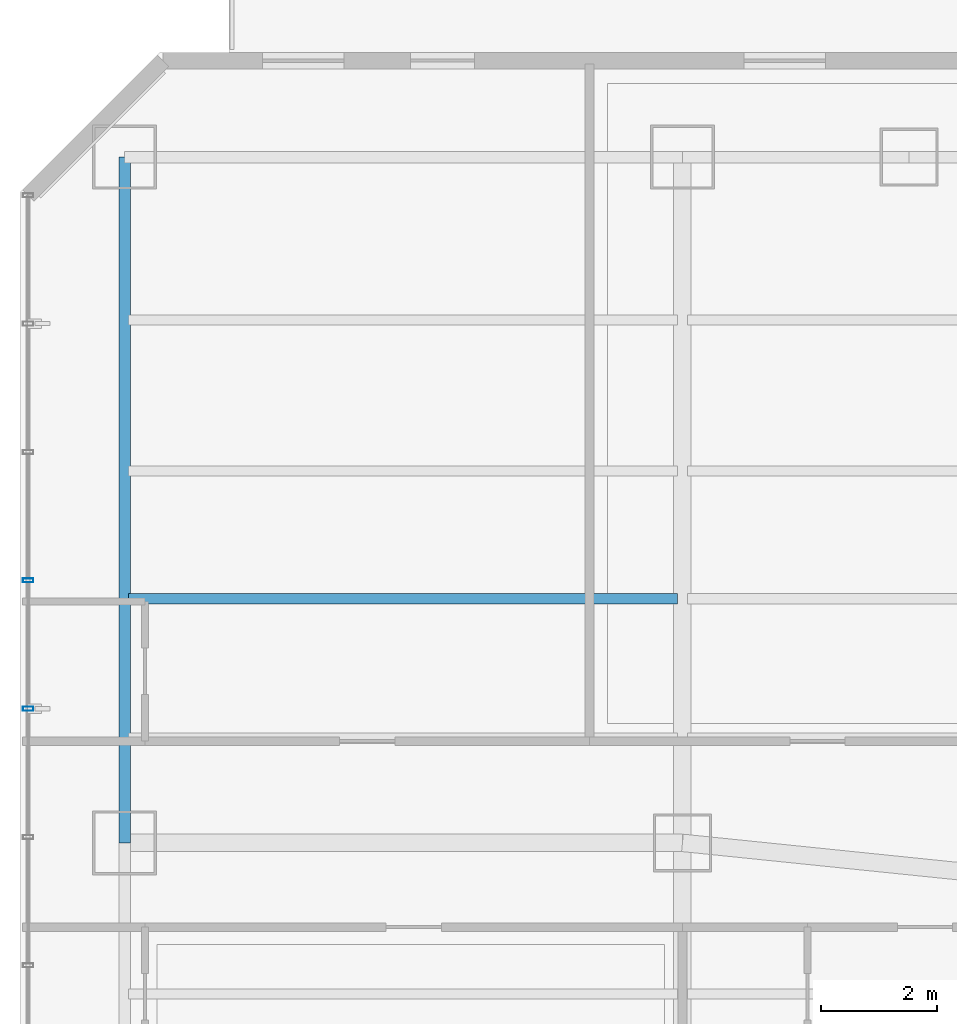
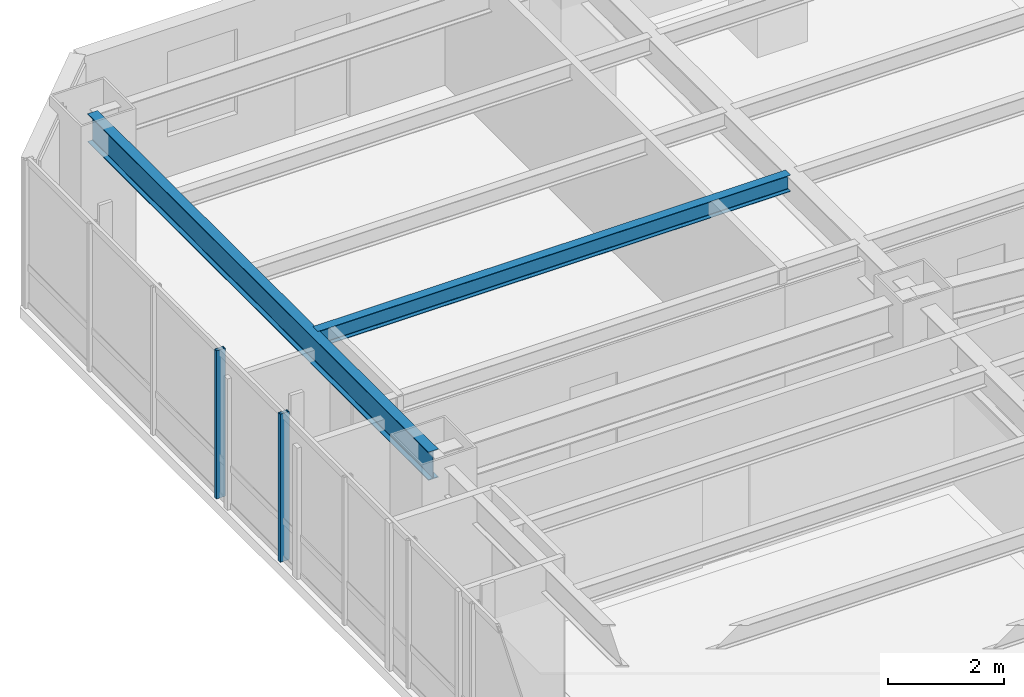
# One storey, part 14 of 37: 2 beams, 2 members, 1 element without a shape of its own.
"""IFC4 building model written with IfcOpenShell, lengths in metres."""

from ifc_helpers import new_model, si_unit, direction, frame, origin, origin_2d, place, context, subcontext, project, spatial, hollow_rectangle, i_section, extrude, material, layer, layer_set, material_profile, profile_set, type_object, element, aggregate, save


model = new_model("IFC4")

# Units and contexts
model_context = context("Model", 3, precision=1e-05, world=origin(), true_north=direction((0.0, 1.0)))
body_context = subcontext(model_context, "Body", "Model", "MODEL_VIEW")
ifc_project = project(units=[si_unit("LENGTHUNIT", "METRE"), si_unit("AREAUNIT", "SQUARE_METRE"), si_unit("VOLUMEUNIT", "CUBIC_METRE"), si_unit("PLANEANGLEUNIT", "RADIAN"), si_unit("MASSUNIT", "GRAM", prefix="KILO")], contexts=[model_context])

# Site, building, storey
site_placement = place(None, origin())
site = spatial("IfcSite", under=ifc_project, at=site_placement, CompositionType="ELEMENT")
building_placement = place(site_placement, origin())
building = spatial("IfcBuilding", under=site, at=building_placement, Name="Hatsunagi Terrace Concourse", CompositionType="ELEMENT")
storey_placement = place(building_placement, frame((0.0, 0.0, 39.949951171875)))
storey = spatial("IfcBuildingStorey", under=building, at=storey_placement, Name="L09", CompositionType="ELEMENT", Elevation=39.949951171875)

# Curtain wall, members
ifc_material_1 = material(Name="Anodised Aluminium Alloy 6063-T5", Category="aluminium")
ifc_layer = layer(ifc_material_1, 0.199951171875)
ifc_layer_set = layer_set([ifc_layer], Name="HotelFacade_CW02")
curtain_wall_type = type_object("IfcCurtainWallType", Name="HotelFacade_CW02", PredefinedType="NOTDEFINED", material=ifc_layer_set)
curtain_wall_placement = place(storey_placement, origin())
curtain_wall = element("IfcCurtainWall", 1, at=curtain_wall_placement, inside=storey, type_object=curtain_wall_type, Name="Unitised Curtain Wall CW-02 CW-L09-09", PredefinedType="NOTDEFINED")
ifc_material_2 = material(Name="Anodised Aluminium Alloy 6063-T5", Category="aluminium")
ifc_material_profile_1 = material_profile(ifc_material_2, hollow_rectangle(XDim=0.070068359375, YDim=0.179931640625, WallThickness=0.00390625, at=origin_2d()), Name="ALU-MUL-180x70x4")
ifc_profile_set_1 = profile_set([ifc_material_profile_1], Name="Anodised Aluminium Alloy 6063-T5")
member_type = type_object("IfcMemberType", Name="CurtainWallMullion_180x70", PredefinedType="MULLION", material=ifc_profile_set_1)
member_1_placement = place(storey_placement, frame((0.139892578125, 39.10791015625, 0.0), z_axis=(0.0, 0.0, 1.0), x_axis=(0.0, 1.0, 0.0)))
member_1 = element("IfcMember", 2, at=member_1_placement, type_object=member_type, Name="Curtain Wall Mullion MUL-02", PredefinedType="MULLION", context=body_context, shape_type="SweptSolid", body=[
    extrude(hollow_rectangle(XDim=0.070068359375, YDim=0.179931640625, WallThickness=0.00390625, at=origin_2d()), origin(), (0.0, 0.0, 1.0), 3.130126953125),
])
member_2_placement = place(storey_placement, frame((0.139892578125, 41.31689453125, 0.0), z_axis=(0.0, 0.0, 1.0), x_axis=(0.0, 1.0, 0.0)))
member_2 = element("IfcMember", 3, at=member_2_placement, type_object=member_type, Name="Curtain Wall Mullion MUL-02", PredefinedType="MULLION", context=body_context, shape_type="SweptSolid", body=[
    extrude(hollow_rectangle(XDim=0.070068359375, YDim=0.179931640625, WallThickness=0.00390625, at=origin_2d()), origin(), (0.0, 0.0, 1.0), 3.130126953125),
])
aggregate(curtain_wall, [member_1, member_2])

# Beams
ifc_material_3 = material(Name="Steel SN490B", Category="steel")
ifc_material_profile_2 = material_profile(ifc_material_3, i_section(OverallWidth=0.175048828125, OverallDepth=0.35009765625, WebThickness=0.007080078125, FlangeThickness=0.010986328125, FilletRadius=0.012939453125, at=origin_2d()), Name="H-350x175x7x11")
ifc_profile_set_2 = profile_set([ifc_material_profile_2], Name="Steel SN490B")
beam_type_1 = type_object("IfcBeamType", Name="HotelJoist_H_350x175", PredefinedType="JOIST", material=ifc_profile_set_2)
beam_1_placement = place(storey_placement, frame((1.864990234375, 41.0, 2.955078125), z_axis=(1.0, 0.0, 0.0), x_axis=(0.0, 1.0, 0.0)))
element("IfcBeam", 4, at=beam_1_placement, inside=storey, type_object=beam_type_1, Name="Beam J-02 J-L09-W-1-410", PredefinedType="JOIST", context=body_context, shape_type="SweptSolid", body=[
    extrude(i_section(OverallWidth=0.175048828125, OverallDepth=0.35009765625, WebThickness=0.007080078125, FlangeThickness=0.010986328125, FilletRadius=0.012939453125, at=origin_2d()), origin(), (0.0, 0.0, 1.0), 9.449951171875),
])
ifc_material_4 = material(Name="Steel SN490B", Category="steel")
ifc_material_profile_3 = material_profile(ifc_material_4, i_section(OverallWidth=0.199951171875, OverallDepth=0.60009765625, WebThickness=0.010986328125, FlangeThickness=0.01708984375, FilletRadius=0.01806640625, at=origin_2d()), Name="H-600x200x11x17")
ifc_profile_set_3 = profile_set([ifc_material_profile_3], Name="Steel SN490B")
beam_type_2 = type_object("IfcBeamType", Name="PerimeterSpandrel_H_600x200", PredefinedType="SPANDREL", material=ifc_profile_set_3)
beam_2_placement = place(storey_placement, frame((1.800048828125, 36.800048828125, 2.830078125), z_axis=(0.0, 1.0, 0.0), x_axis=(-1.0, 0.0, 0.0)))
element("IfcBeam", 5, at=beam_2_placement, inside=storey, type_object=beam_type_2, Name="Beam SP-01 BM-L09-NS-1-36", PredefinedType="SPANDREL", context=body_context, shape_type="SweptSolid", body=[
    extrude(i_section(OverallWidth=0.199951171875, OverallDepth=0.60009765625, WebThickness=0.010986328125, FlangeThickness=0.01708984375, FilletRadius=0.01806640625, at=origin_2d()), origin(), (0.0, 0.0, 1.0), 11.800048828125),
])

save(model, "model.ifc")
